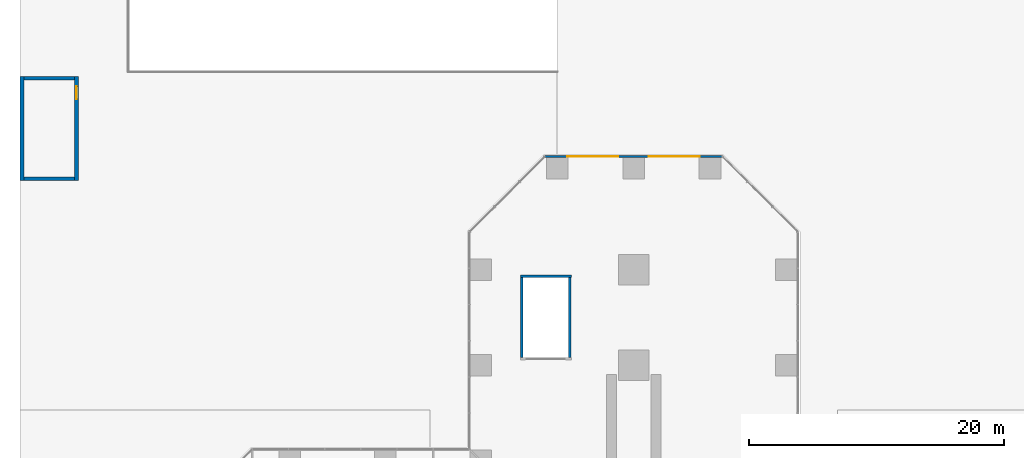
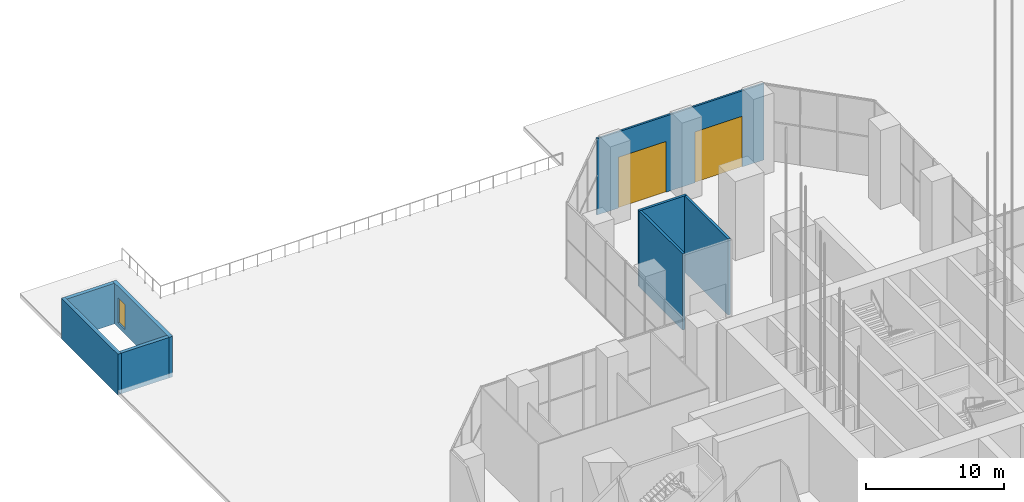
# One storey, part 21 of 43: 8 walls, 3 doors, 3 openings.
"""IFC4 building model written with IfcOpenShell, lengths in metres."""

from ifc_helpers import new_model, si_unit, direction, frame, frame_2d, origin, place, context, subcontext, project, spatial, rectangle, extrude, material, layer, layer_set, type_object, element, fill, save


model = new_model("IFC4")

# Units and contexts
model_context = context("Model", 3, precision=1e-05, world=origin(), true_north=direction((0.0, 1.0)))
body_context = subcontext(model_context, "Body", "Model", "MODEL_VIEW")
ifc_project = project(units=[si_unit("LENGTHUNIT", "METRE"), si_unit("AREAUNIT", "SQUARE_METRE"), si_unit("VOLUMEUNIT", "CUBIC_METRE"), si_unit("PLANEANGLEUNIT", "RADIAN"), si_unit("MASSUNIT", "GRAM", prefix="KILO")], contexts=[model_context])

# Site, building, storey
site_placement = place(None, origin())
site = spatial("IfcSite", under=ifc_project, at=site_placement, CompositionType="ELEMENT")
building_placement = place(site_placement, origin())
building = spatial("IfcBuilding", under=site, at=building_placement, Name="Mizan Broadcast Tower", CompositionType="ELEMENT")
storey_placement = place(building_placement, origin())
storey = spatial("IfcBuildingStorey", under=building, at=storey_placement, Name="L00", CompositionType="ELEMENT", Elevation=0.0)

# Wall, openings, doors
ifc_material_1 = material(Name="Insulated steel panel wall", Category="steel")
ifc_layer_1 = layer(ifc_material_1, 0.159912109375)
ifc_layer_set_1 = layer_set([ifc_layer_1], Name="Insulated steel panel wall")
wall_type_1 = type_object("IfcWallType", Name="DOCK WALL 160", PredefinedType="SOLIDWALL", material=ifc_layer_set_1)
wall_1_placement = place(storey_placement, frame((7.008544921875, 35.89990234375, 0.0), z_axis=(0.0, 0.0, 1.0), x_axis=(-1.0, 0.0, 0.0)))
wall_1 = element("IfcWall", 1, at=wall_1_placement, inside=storey, type_object=wall_type_1, Name="External wall L00 N end", PredefinedType="SOLIDWALL", context=body_context, shape_type="SweptSolid", body=[
    extrude(rectangle(XDim=14.01708984375, YDim=0.159912109375, at=frame_2d((7.008544921875, 0.0))), origin(), (0.0, 0.0, 1.0), 6.75),
])
opening_1_placement = place(wall_1_placement, frame((1.80859375, 0.0, 0.0)))
opening_1 = element("IfcOpeningElement", 2, at=opening_1_placement, cuts=wall_1, Name="Opening RS40", PredefinedType="OPENING", context=body_context, shape_type="SweptSolid", body=[
    extrude(rectangle(XDim=4.0, YDim=4.5, at=frame_2d((2.0, 2.25))), frame((0.0, 0.08984375, 0.0), z_axis=(0.0, -1.0, 0.0), x_axis=(1.0, 0.0, 0.0)), (0.0, 0.0, 1.0), 0.179931640625),
])
opening_2_placement = place(wall_1_placement, frame((8.20849609375, 0.0, 0.0)))
opening_2 = element("IfcOpeningElement", 3, at=opening_2_placement, cuts=wall_1, Name="Opening RS40", PredefinedType="OPENING", context=body_context, shape_type="SweptSolid", body=[
    extrude(rectangle(XDim=4.0, YDim=4.5, at=frame_2d((2.0, 2.25))), frame((0.0, 0.08984375, 0.0), z_axis=(0.0, -1.0, 0.0), x_axis=(1.0, 0.0, 0.0)), (0.0, 0.0, 1.0), 0.179931640625),
])
ifc_material_2 = material(Name="Steel door", Category="steel")
door_type_1 = type_object("IfcDoorType", Name="SCENERY DOCK ROLLER SHUTTER 4000", OperationType="ROLLINGUP", PredefinedType="GATE", material=ifc_material_2)
door_1_placement = place(opening_1_placement, origin())
door_1 = element("IfcDoor", 4, at=door_1_placement, inside=storey, type_object=door_type_1, Name="Scenery dock shutter 1", OperationType="ROLLINGUP", OverallHeight=4.5, OverallWidth=4.0, PredefinedType="GATE", context=body_context, shape_type="SweptSolid", body=[
    extrude(rectangle(XDim=4.0, YDim=4.5, at=frame_2d((2.0, 2.25))), frame((0.0, 0.02490234375, 0.0), z_axis=(0.0, -1.0, 0.0), x_axis=(1.0, 0.0, 0.0)), (0.0, 0.0, 1.0), 0.050048828125),
])
fill(opening_1, door_1)
door_2_placement = place(opening_2_placement, origin())
door_2 = element("IfcDoor", 5, at=door_2_placement, inside=storey, type_object=door_type_1, Name="Scenery dock shutter 2", OperationType="ROLLINGUP", OverallHeight=4.5, OverallWidth=4.0, PredefinedType="GATE", context=body_context, shape_type="SweptSolid", body=[
    extrude(rectangle(XDim=4.0, YDim=4.5, at=frame_2d((2.0, 2.25))), frame((0.0, 0.02490234375, 0.0), z_axis=(0.0, -1.0, 0.0), x_axis=(1.0, 0.0, 0.0)), (0.0, 0.0, 1.0), 0.050048828125),
])
fill(opening_2, door_2)

# Walls
ifc_material_3 = material(Name="Concrete blockwork", Category="masonry")
ifc_layer_2 = layer(ifc_material_3, 0.199951171875)
ifc_layer_set_2 = layer_set([ifc_layer_2], Name="Concrete blockwork")
wall_type_2 = type_object("IfcWallType", Name="LIFT SHAFT WALL 200", PredefinedType="SOLIDWALL", material=ifc_layer_set_2)
wall_2_placement = place(storey_placement, frame((-8.89990234375, 26.5, 0.0), z_axis=(0.0, 0.0, 1.0), x_axis=(1.0, 0.0, 0.0)))
element("IfcWall", 6, at=wall_2_placement, inside=storey, type_object=wall_type_2, Name="Lift shaft wall GLS/U1", PredefinedType="SOLIDWALL", context=body_context, shape_type="SweptSolid", body=[
    extrude(rectangle(XDim=4.0, YDim=0.199951171875, at=frame_2d((2.0, 0.0))), origin(), (0.0, 0.0, 1.0), 6.75),
])
for number, where, z_axis, x_axis, name in (
    (7, (-5.0, 20.10009765625, 0.0), (0.0, 0.0, 1.0), (0.0, 1.0, 0.0), "Lift shaft wall GLS/V0"),
    (8, (-8.800048828125, 26.39990234375, 0.0), (0.0, 0.0, 1.0), (0.0, -1.0, 0.0), "Lift shaft wall GLS/V1"),
):
    element("IfcWall", number, at=place(storey_placement, frame(where, z_axis=z_axis, x_axis=x_axis)), inside=storey, type_object=wall_type_2, Name=name, PredefinedType="SOLIDWALL", context=body_context, shape_type="SweptSolid", body=[
        extrude(rectangle(XDim=6.2998046875, YDim=0.199951171875, at=frame_2d((3.14990234375, 0.0))), origin(), (0.0, 0.0, 1.0), 6.75),
    ])

# Wall, opening, door
ifc_material_4 = material(Name="Concrete C40/50", Category="concrete")
ifc_layer_3 = layer(ifc_material_4, 0.300048828125)
ifc_layer_set_3 = layer_set([ifc_layer_3], Name="Concrete C40/50")
wall_type_3 = type_object("IfcWallType", Name="STAIR SHAFT WALL 300 RC", PredefinedType="SOLIDWALL", material=ifc_layer_set_3)
wall_3_placement = place(storey_placement, frame((-43.75, 42.199951171875, -0.39990234375), z_axis=(0.0, 0.0, 1.0), x_axis=(0.0, -1.0, 0.0)))
wall_3 = element("IfcWall", 9, at=wall_3_placement, inside=storey, type_object=wall_type_3, Name="Stair shaft wall F I", PredefinedType="SOLIDWALL", context=body_context, shape_type="SweptSolid", body=[
    extrude(rectangle(XDim=8.199951171875, YDim=0.300048828125, at=frame_2d((4.10009765625, 0.0))), origin(), (0.0, 0.0, 1.0), 3.599853515625),
])
opening_3_placement = place(wall_3_placement, frame((0.800048828125, 0.0, 0.39990234375)))
opening_3 = element("IfcOpeningElement", 10, at=opening_3_placement, cuts=wall_3, Name="Opening XD10S", PredefinedType="OPENING", context=body_context, shape_type="SweptSolid", body=[
    extrude(rectangle(XDim=1.0, YDim=2.199951171875, at=frame_2d((0.5, 1.10009765625))), frame((0.0, 0.159912109375, 0.0), z_axis=(0.0, -1.0, 0.0), x_axis=(1.0, 0.0, 0.0)), (0.0, 0.0, 1.0), 0.320068359375),
])
ifc_material_5 = material(Name="Steel door leaf in steel frame", Category="steel")
door_type_2 = type_object("IfcDoorType", Name="STAIR EXIT DOOR 1000 FD90", OperationType="SINGLE_SWING_LEFT", PredefinedType="DOOR", material=ifc_material_5)
door_3_placement = place(opening_3_placement, origin())
door_3 = element("IfcDoor", 11, at=door_3_placement, inside=storey, type_object=door_type_2, Name="Stair F exit door", OperationType="SINGLE_SWING_LEFT", OverallHeight=2.199951171875, OverallWidth=1.0, PredefinedType="DOOR", context=body_context, shape_type="SweptSolid", body=[
    extrude(rectangle(XDim=1.0, YDim=2.199951171875, at=frame_2d((0.5, 1.10009765625))), frame((0.0, 0.02490234375, 0.0), z_axis=(0.0, -1.0, 0.0), x_axis=(1.0, 0.0, 0.0)), (0.0, 0.0, 1.0), 0.050048828125),
])
fill(opening_3, door_3)

# Walls
wall_4_placement = place(storey_placement, frame((-48.050048828125, 34.0, -0.39990234375), z_axis=(0.0, 0.0, 1.0), x_axis=(0.0, 1.0, 0.0)))
element("IfcWall", 12, at=wall_4_placement, inside=storey, type_object=wall_type_3, Name="Stair shaft wall F O", PredefinedType="SOLIDWALL", context=body_context, shape_type="SweptSolid", body=[
    extrude(rectangle(XDim=8.199951171875, YDim=0.300048828125, at=frame_2d((4.10009765625, 0.0))), origin(), (0.0, 0.0, 1.0), 3.599853515625),
])
for number, where, z_axis, x_axis, name in (
    (13, (-43.89990234375, 42.050048828125, -0.39990234375), (0.0, 0.0, 1.0), (-1.0, 0.0, 0.0), "Stair shaft wall F D"),
    (14, (-47.89990234375, 34.14990234375, -0.39990234375), (0.0, 0.0, 1.0), (1.0, 0.0, 0.0), "Stair shaft wall F F"),
):
    element("IfcWall", number, at=place(storey_placement, frame(where, z_axis=z_axis, x_axis=x_axis)), inside=storey, type_object=wall_type_3, Name=name, PredefinedType="SOLIDWALL", context=body_context, shape_type="SweptSolid", body=[
        extrude(rectangle(XDim=4.0, YDim=0.300048828125, at=frame_2d((2.0, 0.0))), origin(), (0.0, 0.0, 1.0), 3.599853515625),
    ])

save(model, "model.ifc")
